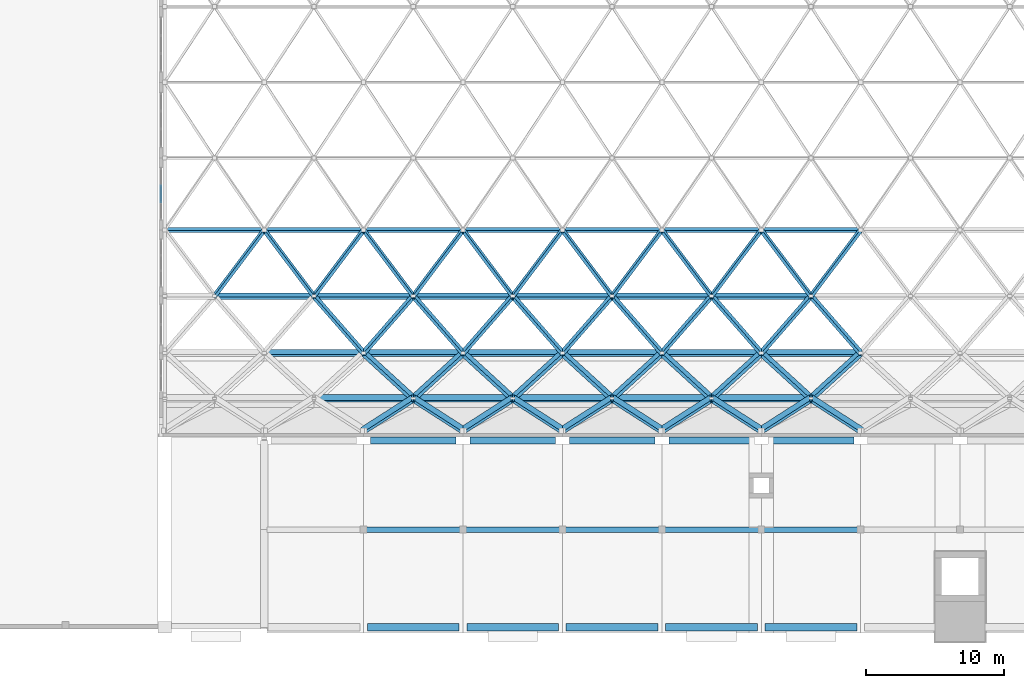
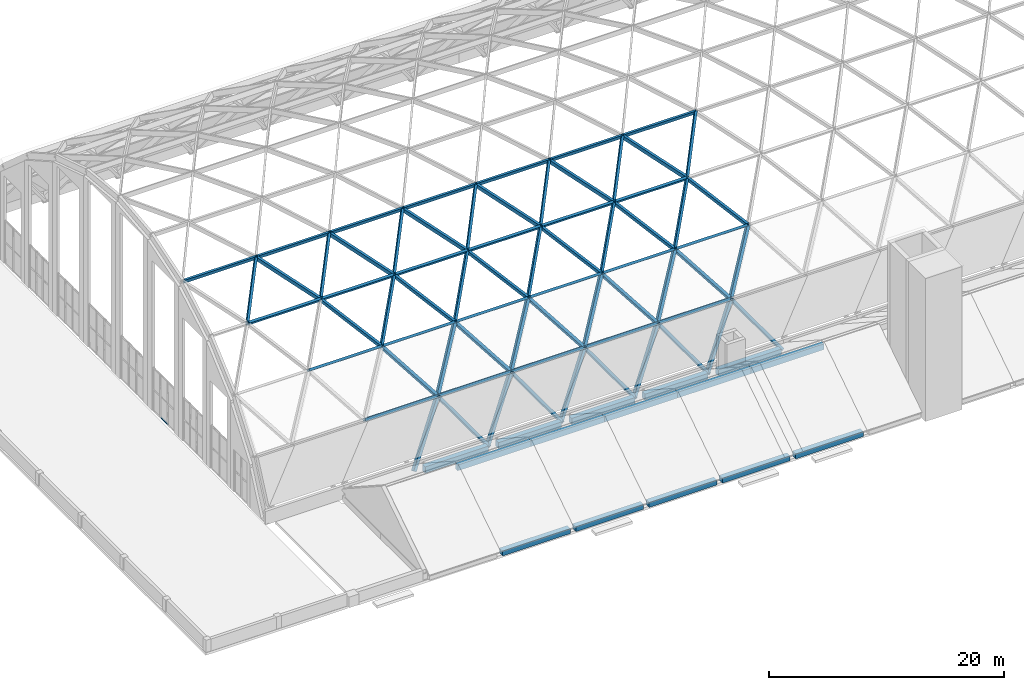
# One storey, part 4 of 52: 45 members, 39 beams, 1 element without a shape of its own.
"""IFC4 building model written with IfcOpenShell, lengths in metres."""

from ifc_helpers import new_model, si_unit, direction, frame, origin, origin_2d, place, context, subcontext, project, spatial, rectangle, extrude, material, material_profile, profile_set, type_object, element, aggregate, save


model = new_model("IFC4")

# Units and contexts
model_context = context("Model", 3, precision=1e-05, world=origin(), true_north=direction((0.0, 1.0)))
body_context = subcontext(model_context, "Body", "Model", "MODEL_VIEW")
ifc_project = project(units=[si_unit("LENGTHUNIT", "METRE"), si_unit("AREAUNIT", "SQUARE_METRE"), si_unit("VOLUMEUNIT", "CUBIC_METRE"), si_unit("PLANEANGLEUNIT", "RADIAN"), si_unit("MASSUNIT", "GRAM", prefix="KILO")], contexts=[model_context])

# Site, building, storey
site_placement = place(None, origin())
site = spatial("IfcSite", under=ifc_project, at=site_placement, CompositionType="ELEMENT")
building_placement = place(site_placement, origin())
building = spatial("IfcBuilding", under=site, at=building_placement, Name="Vermilion Court Aquatics Centre", CompositionType="ELEMENT")
storey_placement = place(building_placement, frame((0.0, 0.0, 12.0)))
storey = spatial("IfcBuildingStorey", under=building, at=storey_placement, Name="L02", CompositionType="ELEMENT", Elevation=12.0)

# Curtain wall, member
ifc_material_1 = material(Name="Aluminium 6063-T5", Category="aluminium")
curtain_wall_type = type_object("IfcCurtainWallType", Name="Envelope curtain wall west gable lower runs", PredefinedType="NOTDEFINED", material=ifc_material_1)
curtain_wall_placement = place(storey_placement, origin())
curtain_wall = element("IfcCurtainWall", 1, at=curtain_wall_placement, inside=storey, type_object=curtain_wall_type, Name="Gable glazing west 5.1", PredefinedType="NOTDEFINED")
ifc_material_2 = material(Name="Aluminium 6063-T5", Category="aluminium")
ifc_material_profile_1 = material_profile(ifc_material_2, rectangle(XDim=0.06005859375, YDim=0.1201171875, at=origin_2d()), Name="AL 60x120")
ifc_profile_set_1 = profile_set([ifc_material_profile_1], Name="Aluminium 6063-T5")
member_type_1 = type_object("IfcMemberType", Name="Envelope aluminium transom 60x120", PredefinedType="USERDEFINED", material=ifc_profile_set_1)
member_1_placement = place(storey_placement, frame((14.125, 30.92333984375, 0.030029296875), z_axis=(0.0, 1.0, 0.0), x_axis=(-1.0, 0.0, 0.0)))
member_1 = element("IfcMember", 2, at=member_1_placement, type_object=member_type_1, Name="ECW3 transom 2.1", ObjectType="TRANSOM", PredefinedType="USERDEFINED", context=body_context, shape_type="SweptSolid", body=[
    extrude(rectangle(XDim=0.06005859375, YDim=0.1201171875, at=origin_2d()), origin(), (0.0, 0.0, 1.0), 1.183349609375),
])
aggregate(curtain_wall, [member_1])

# Beams
ifc_material_3 = material(Name="Glulam 24F-V4 Douglas fir", Category="wood")
ifc_material_profile_2 = material_profile(ifc_material_3, rectangle(XDim=0.1708984375, YDim=0.5, at=origin_2d()), Name="GL24F 171x500")
ifc_profile_set_2 = profile_set([ifc_material_profile_2], Name="Glulam 24F-V4 Douglas fir")
beam_type_1 = type_object("IfcBeamType", Name="Roof glulam beam GL24F 171x500", PredefinedType="BEAM", material=ifc_profile_set_2)
beam_1_placement = place(storey_placement, frame((14.53662109375, 28.89990234375, 16.007080078125), z_axis=(1.0, 0.0, 0.0), x_axis=(0.0, 0.915794264632, 0.401647687492)))
element("IfcBeam", 3, at=beam_1_placement, inside=storey, type_object=beam_type_1, Name="Gridshell member GM-S04-00", PredefinedType="BEAM", context=body_context, shape_type="SweptSolid", body=[
    extrude(rectangle(XDim=0.1708984375, YDim=0.5, at=origin_2d()), origin(), (0.0, 0.0, 1.0), 7.0634765625),
])
for number, where, z_axis, x_axis, name in (
    (4, (21.60009765625, 28.89990234375, 16.007080078125), (1.0, 0.0, 0.0), (0.0, 0.915794264632, 0.401647687492), "Gridshell member GM-S04-01"),
    (5, (28.800048828125, 28.89990234375, 16.007080078125), (1.0, 0.0, 0.0), (0.0, 0.915794264632, 0.401647687492), "Gridshell member GM-S04-02"),
    (6, (36.0, 28.89990234375, 16.007080078125), (1.0, 0.0, 0.0), (0.0, 0.915794264632, 0.401647687492), "Gridshell member GM-S04-03"),
    (7, (43.199951171875, 28.89990234375, 16.007080078125), (1.0, 0.0, 0.0), (0.0, 0.915794264632, 0.401647687492), "Gridshell member GM-S04-04"),
):
    element("IfcBeam", number, at=place(storey_placement, frame(where, z_axis=z_axis, x_axis=x_axis)), inside=storey, type_object=beam_type_1, Name=name, PredefinedType="BEAM", context=body_context, shape_type="SweptSolid", body=[
        extrude(rectangle(XDim=0.1708984375, YDim=0.5, at=origin_2d()), origin(), (0.0, 0.0, 1.0), 7.199951171875),
    ])
beam_2_placement = place(storey_placement, frame((50.39990234375, 28.89990234375, 16.007080078125), z_axis=(1.0, 0.0, 0.0), x_axis=(0.0, 0.915794264632, 0.401647687492)))
element("IfcBeam", 8, at=beam_2_placement, inside=storey, type_object=beam_type_1, Name="Gridshell member GM-S04-05", PredefinedType="BEAM", context=body_context, shape_type="SweptSolid", body=[
    extrude(rectangle(XDim=0.1708984375, YDim=0.5, at=origin_2d()), origin(), (0.0, 0.0, 1.0), 7.2001953125),
])
beam_3_placement = place(storey_placement, frame((57.60009765625, 28.89990234375, 16.007080078125), z_axis=(1.0, 0.0, 0.0), x_axis=(0.0, 0.915794264632, 0.401647687492)))
element("IfcBeam", 9, at=beam_3_placement, inside=storey, type_object=beam_type_1, Name="Gridshell member GM-S04-06", PredefinedType="BEAM", context=body_context, shape_type="SweptSolid", body=[
    extrude(rectangle(XDim=0.1708984375, YDim=0.5, at=origin_2d()), origin(), (0.0, 0.0, 1.0), 7.199951171875),
])
ifc_material_4 = material(Name="Glulam 24F-V4 Douglas fir", Category="wood")
ifc_material_profile_3 = material_profile(ifc_material_4, rectangle(XDim=0.221923828125, YDim=0.5, at=origin_2d()), Name="GL24F 222x500")
ifc_profile_set_3 = profile_set([ifc_material_profile_3], Name="Glulam 24F-V4 Douglas fir")
beam_type_2 = type_object("IfcBeamType", Name="Roof glulam beam GL24F 222x500", PredefinedType="BEAM", material=ifc_profile_set_3)
for number, where, z_axis, x_axis, name in (
    (10, (21.60009765625, 20.0, 9.652099609375), (1.0, 0.0, 0.0), (0.0, 0.677259808472, 0.735743944473), "Gridshell member GM-S02-01"),
    (11, (28.800048828125, 20.0, 9.652099609375), (1.0, 0.0, 0.0), (0.0, 0.677259808472, 0.735743944473), "Gridshell member GM-S02-02"),
    (12, (36.0, 20.0, 9.652099609375), (1.0, 0.0, 0.0), (0.0, 0.677259808472, 0.735743944473), "Gridshell member GM-S02-03"),
    (13, (43.199951171875, 20.0, 9.652099609375), (1.0, 0.0, 0.0), (0.0, 0.677259808472, 0.735743944473), "Gridshell member GM-S02-04"),
):
    element("IfcBeam", number, at=place(storey_placement, frame(where, z_axis=z_axis, x_axis=x_axis)), inside=storey, type_object=beam_type_2, Name=name, PredefinedType="BEAM", context=body_context, shape_type="SweptSolid", body=[
        extrude(rectangle(XDim=0.221923828125, YDim=0.5, at=origin_2d()), origin(), (0.0, 0.0, 1.0), 7.199951171875),
    ])
beam_4_placement = place(storey_placement, frame((50.39990234375, 20.0, 9.652099609375), z_axis=(1.0, 0.0, 0.0), x_axis=(0.0, 0.677259808472, 0.735743944473)))
element("IfcBeam", 14, at=beam_4_placement, inside=storey, type_object=beam_type_2, Name="Gridshell member GM-S02-05", PredefinedType="BEAM", context=body_context, shape_type="SweptSolid", body=[
    extrude(rectangle(XDim=0.221923828125, YDim=0.5, at=origin_2d()), origin(), (0.0, 0.0, 1.0), 7.2001953125),
])
for number, where, z_axis, x_axis, name in (
    (15, (57.60009765625, 20.0, 9.652099609375), (1.0, 0.0, 0.0), (0.0, 0.677259808472, 0.735743944473), "Gridshell member GM-S02-06"),
    (16, (18.0, 24.1201171875, 13.291015625), (1.0, 0.0, 0.0), (0.0, 0.813847589394, 0.581078395087), "Gridshell member GM-S03-01"),
    (17, (25.199951171875, 24.1201171875, 13.291015625), (1.0, 0.0, 0.0), (0.0, 0.813847589394, 0.581078395087), "Gridshell member GM-S03-02"),
):
    element("IfcBeam", number, at=place(storey_placement, frame(where, z_axis=z_axis, x_axis=x_axis)), inside=storey, type_object=beam_type_2, Name=name, PredefinedType="BEAM", context=body_context, shape_type="SweptSolid", body=[
        extrude(rectangle(XDim=0.221923828125, YDim=0.5, at=origin_2d()), origin(), (0.0, 0.0, 1.0), 7.199951171875),
    ])
beam_5_placement = place(storey_placement, frame((32.39990234375, 24.1201171875, 13.291015625), z_axis=(1.0, 0.0, 0.0), x_axis=(0.0, 0.813847589394, 0.581078395087)))
element("IfcBeam", 18, at=beam_5_placement, inside=storey, type_object=beam_type_2, Name="Gridshell member GM-S03-03", PredefinedType="BEAM", context=body_context, shape_type="SweptSolid", body=[
    extrude(rectangle(XDim=0.221923828125, YDim=0.5, at=origin_2d()), origin(), (0.0, 0.0, 1.0), 7.2001953125),
])
for number, where, z_axis, x_axis, name in (
    (19, (39.60009765625, 24.1201171875, 13.291015625), (1.0, 0.0, 0.0), (0.0, 0.813847589394, 0.581078395087), "Gridshell member GM-S03-04"),
    (20, (46.800048828125, 24.1201171875, 13.291015625), (1.0, 0.0, 0.0), (0.0, 0.813847589394, 0.581078395087), "Gridshell member GM-S03-05"),
    (21, (54.0, 24.1201171875, 13.291015625), (1.0, 0.0, 0.0), (0.0, 0.813847589394, 0.581078395087), "Gridshell member GM-S03-06"),
):
    element("IfcBeam", number, at=place(storey_placement, frame(where, z_axis=z_axis, x_axis=x_axis)), inside=storey, type_object=beam_type_2, Name=name, PredefinedType="BEAM", context=body_context, shape_type="SweptSolid", body=[
        extrude(rectangle(XDim=0.221923828125, YDim=0.5, at=origin_2d()), origin(), (0.0, 0.0, 1.0), 7.199951171875),
    ])
ifc_material_5 = material(Name="Glulam 24F-V4 Douglas fir", Category="wood")
ifc_material_profile_4 = material_profile(ifc_material_5, rectangle(XDim=0.27294921875, YDim=0.5, at=origin_2d()), Name="GL24F 273x500")
ifc_profile_set_4 = profile_set([ifc_material_profile_4], Name="Glulam 24F-V4 Douglas fir")
beam_type_3 = type_object("IfcBeamType", Name="Roof glulam beam GL24F 273x500", PredefinedType="BEAM", material=ifc_profile_set_4)
beam_6_placement = place(storey_placement, frame((25.199951171875, 16.7099609375, 5.239013671875), z_axis=(1.0, 0.0, 0.0), x_axis=(0.0, 0.511594723072, 0.859226884661)))
element("IfcBeam", 22, at=beam_6_placement, inside=storey, type_object=beam_type_3, Name="Gridshell member GM-S01-02", PredefinedType="BEAM", context=body_context, shape_type="SweptSolid", body=[
    extrude(rectangle(XDim=0.27294921875, YDim=0.5, at=origin_2d()), origin(), (0.0, 0.0, 1.0), 7.199951171875),
])
beam_7_placement = place(storey_placement, frame((32.39990234375, 16.7099609375, 5.239013671875), z_axis=(1.0, 0.0, 0.0), x_axis=(0.0, 0.511594723072, 0.859226884661)))
element("IfcBeam", 23, at=beam_7_placement, inside=storey, type_object=beam_type_3, Name="Gridshell member GM-S01-03", PredefinedType="BEAM", context=body_context, shape_type="SweptSolid", body=[
    extrude(rectangle(XDim=0.27294921875, YDim=0.5, at=origin_2d()), origin(), (0.0, 0.0, 1.0), 7.2001953125),
])
for number, where, z_axis, x_axis, name in (
    (24, (39.60009765625, 16.7099609375, 5.239013671875), (1.0, 0.0, 0.0), (0.0, 0.511594723072, 0.859226884661), "Gridshell member GM-S01-04"),
    (25, (46.800048828125, 16.7099609375, 5.239013671875), (1.0, 0.0, 0.0), (0.0, 0.511594723072, 0.859226884661), "Gridshell member GM-S01-05"),
    (26, (54.0, 16.7099609375, 5.239013671875), (1.0, 0.0, 0.0), (0.0, 0.511594723072, 0.859226884661), "Gridshell member GM-S01-06"),
):
    element("IfcBeam", number, at=place(storey_placement, frame(where, z_axis=z_axis, x_axis=x_axis)), inside=storey, type_object=beam_type_3, Name=name, PredefinedType="BEAM", context=body_context, shape_type="SweptSolid", body=[
        extrude(rectangle(XDim=0.27294921875, YDim=0.5, at=origin_2d()), origin(), (0.0, 0.0, 1.0), 7.199951171875),
    ])

# Members
ifc_material_6 = material(Name="Glulam 24F-V4 Douglas fir", Category="wood")
ifc_material_profile_5 = material_profile(ifc_material_6, rectangle(XDim=0.221923828125, YDim=0.5, at=origin_2d()), Name="GL24F 222x500")
ifc_profile_set_5 = profile_set([ifc_material_profile_5], Name="Glulam 24F-V4 Douglas fir")
member_type_2 = type_object("IfcMemberType", Name="Roof glulam diagonal GL24F 222x500", PredefinedType="BRACE", material=ifc_profile_set_5)
member_2_placement = place(storey_placement, frame((28.800048828125, 20.0, 9.652099609375), z_axis=(-0.547878343921, 0.627017152585, 0.553785888793), x_axis=(-0.836558019341, -0.410664270742, -0.362664496488)))
element("IfcMember", 27, at=member_2_placement, inside=storey, type_object=member_type_2, Name="Gridshell member GM-D02-03", PredefinedType="BRACE", context=body_context, shape_type="SweptSolid", body=[
    extrude(rectangle(XDim=0.221923828125, YDim=0.5, at=origin_2d()), origin(), (0.0, 0.0, 1.0), 6.571044921875),
])
member_3_placement = place(storey_placement, frame((28.800048828125, 20.0, 9.652099609375), z_axis=(0.54785234141, 0.62702991615, 0.553797161662), x_axis=(-0.836575048608, 0.410632462921, 0.362661230961)))
element("IfcMember", 28, at=member_3_placement, inside=storey, type_object=member_type_2, Name="Gridshell member GM-D02-04", PredefinedType="BRACE", context=body_context, shape_type="SweptSolid", body=[
    extrude(rectangle(XDim=0.221923828125, YDim=0.5, at=origin_2d()), origin(), (0.0, 0.0, 1.0), 6.57080078125),
])
for number, where, z_axis, x_axis, name in (
    (29, (36.0, 20.0, 9.652099609375), (-0.547878343921, 0.627017152585, 0.553785888793), (-0.836558019341, -0.410664270742, -0.362664496488), "Gridshell member GM-D02-05"),
    (30, (36.0, 20.0, 9.652099609375), (0.547878343921, 0.627017152585, 0.553785888793), (-0.836558019341, 0.410664270742, 0.362664496488), "Gridshell member GM-D02-06"),
):
    element("IfcMember", number, at=place(storey_placement, frame(where, z_axis=z_axis, x_axis=x_axis)), inside=storey, type_object=member_type_2, Name=name, PredefinedType="BRACE", context=body_context, shape_type="SweptSolid", body=[
        extrude(rectangle(XDim=0.221923828125, YDim=0.5, at=origin_2d()), origin(), (0.0, 0.0, 1.0), 6.571044921875),
    ])
member_4_placement = place(storey_placement, frame((43.199951171875, 20.0, 9.652099609375), z_axis=(-0.54785234141, 0.62702991615, 0.553797161662), x_axis=(-0.836575048608, -0.410632462921, -0.362661230961)))
element("IfcMember", 31, at=member_4_placement, inside=storey, type_object=member_type_2, Name="Gridshell member GM-D02-07", PredefinedType="BRACE", context=body_context, shape_type="SweptSolid", body=[
    extrude(rectangle(XDim=0.221923828125, YDim=0.5, at=origin_2d()), origin(), (0.0, 0.0, 1.0), 6.57080078125),
])
member_5_placement = place(storey_placement, frame((43.199951171875, 20.0, 9.652099609375), z_axis=(0.547878343921, 0.627017152585, 0.553785888793), x_axis=(-0.836558019341, 0.410664270742, 0.362664496488)))
element("IfcMember", 32, at=member_5_placement, inside=storey, type_object=member_type_2, Name="Gridshell member GM-D02-08", PredefinedType="BRACE", context=body_context, shape_type="SweptSolid", body=[
    extrude(rectangle(XDim=0.221923828125, YDim=0.5, at=origin_2d()), origin(), (0.0, 0.0, 1.0), 6.571044921875),
])
member_6_placement = place(storey_placement, frame((50.39990234375, 20.0, 9.652099609375), z_axis=(-0.54785234141, 0.62702991615, 0.553797161662), x_axis=(-0.836575048608, -0.410632462921, -0.362661230961)))
element("IfcMember", 33, at=member_6_placement, inside=storey, type_object=member_type_2, Name="Gridshell member GM-D02-09", PredefinedType="BRACE", context=body_context, shape_type="SweptSolid", body=[
    extrude(rectangle(XDim=0.221923828125, YDim=0.5, at=origin_2d()), origin(), (0.0, 0.0, 1.0), 6.57080078125),
])
for number, where, z_axis, x_axis, name in (
    (34, (50.39990234375, 20.0, 9.652099609375), (0.547878343921, 0.627017152585, 0.553785888793), (-0.836558019341, 0.410664270742, 0.362664496488), "Gridshell member GM-D02-10"),
    (35, (57.60009765625, 20.0, 9.652099609375), (-0.547878343921, 0.627017152585, 0.553785888793), (-0.836558019341, -0.410664270742, -0.362664496488), "Gridshell member GM-D02-11"),
):
    element("IfcMember", number, at=place(storey_placement, frame(where, z_axis=z_axis, x_axis=x_axis)), inside=storey, type_object=member_type_2, Name=name, PredefinedType="BRACE", context=body_context, shape_type="SweptSolid", body=[
        extrude(rectangle(XDim=0.221923828125, YDim=0.5, at=origin_2d()), origin(), (0.0, 0.0, 1.0), 6.571044921875),
    ])
member_7_placement = place(storey_placement, frame((57.60009765625, 20.0, 9.652099609375), z_axis=(0.54785234141, 0.62702991615, 0.553797161662), x_axis=(-0.836575048608, 0.410632462921, 0.362661230961)))
element("IfcMember", 36, at=member_7_placement, inside=storey, type_object=member_type_2, Name="Gridshell member GM-D02-12", PredefinedType="BRACE", context=body_context, shape_type="SweptSolid", body=[
    extrude(rectangle(XDim=0.221923828125, YDim=0.5, at=origin_2d()), origin(), (0.0, 0.0, 1.0), 6.57080078125),
])
member_8_placement = place(storey_placement, frame((64.800048828125, 20.0, 9.652099609375), z_axis=(-0.547878343921, 0.627017152585, 0.553785888793), x_axis=(-0.836558019341, -0.410664270742, -0.362664496488)))
element("IfcMember", 37, at=member_8_placement, inside=storey, type_object=member_type_2, Name="Gridshell member GM-D02-13", PredefinedType="BRACE", context=body_context, shape_type="SweptSolid", body=[
    extrude(rectangle(XDim=0.221923828125, YDim=0.5, at=origin_2d()), origin(), (0.0, 0.0, 1.0), 6.571044921875),
])
member_9_placement = place(storey_placement, frame((18.0, 24.1201171875, 13.291015625), z_axis=(0.54783852514, 0.727355394357, 0.413312328237), x_axis=(-0.836584095586, 0.476331897609, 0.270619611877)))
element("IfcMember", 38, at=member_9_placement, inside=storey, type_object=member_type_2, Name="Gridshell member GM-D03-01", PredefinedType="BRACE", context=body_context, shape_type="SweptSolid", body=[
    extrude(rectangle(XDim=0.221923828125, YDim=0.5, at=origin_2d()), origin(), (0.0, 0.0, 1.0), 6.571533203125),
])
member_10_placement = place(storey_placement, frame((25.199951171875, 24.1201171875, 13.291015625), z_axis=(-0.547812522897, 0.727370198256, 0.413320740402), x_axis=(-0.836601123047, -0.476302635686, -0.270618477113)))
element("IfcMember", 39, at=member_10_placement, inside=storey, type_object=member_type_2, Name="Gridshell member GM-D03-02", PredefinedType="BRACE", context=body_context, shape_type="SweptSolid", body=[
    extrude(rectangle(XDim=0.221923828125, YDim=0.5, at=origin_2d()), origin(), (0.0, 0.0, 1.0), 6.5712890625),
])
member_11_placement = place(storey_placement, frame((25.199951171875, 24.1201171875, 13.291015625), z_axis=(0.54783852514, 0.727355394357, 0.413312328237), x_axis=(-0.836584095586, 0.476331897609, 0.270619611877)))
element("IfcMember", 40, at=member_11_placement, inside=storey, type_object=member_type_2, Name="Gridshell member GM-D03-03", PredefinedType="BRACE", context=body_context, shape_type="SweptSolid", body=[
    extrude(rectangle(XDim=0.221923828125, YDim=0.5, at=origin_2d()), origin(), (0.0, 0.0, 1.0), 6.571533203125),
])
member_12_placement = place(storey_placement, frame((32.39990234375, 24.1201171875, 13.291015625), z_axis=(-0.547812522897, 0.727370198256, 0.413320740402), x_axis=(-0.836601123047, -0.476302635686, -0.270618477113)))
element("IfcMember", 41, at=member_12_placement, inside=storey, type_object=member_type_2, Name="Gridshell member GM-D03-04", PredefinedType="BRACE", context=body_context, shape_type="SweptSolid", body=[
    extrude(rectangle(XDim=0.221923828125, YDim=0.5, at=origin_2d()), origin(), (0.0, 0.0, 1.0), 6.5712890625),
])
for number, where, z_axis, x_axis, name in (
    (42, (32.39990234375, 24.1201171875, 13.291015625), (0.54783852514, 0.727355394357, 0.413312328237), (-0.836584095586, 0.476331897609, 0.270619611877), "Gridshell member GM-D03-05"),
    (43, (39.60009765625, 24.1201171875, 13.291015625), (-0.54783852514, 0.727355394357, 0.413312328237), (-0.836584095586, -0.476331897609, -0.270619611877), "Gridshell member GM-D03-06"),
):
    element("IfcMember", number, at=place(storey_placement, frame(where, z_axis=z_axis, x_axis=x_axis)), inside=storey, type_object=member_type_2, Name=name, PredefinedType="BRACE", context=body_context, shape_type="SweptSolid", body=[
        extrude(rectangle(XDim=0.221923828125, YDim=0.5, at=origin_2d()), origin(), (0.0, 0.0, 1.0), 6.571533203125),
    ])
member_13_placement = place(storey_placement, frame((39.60009765625, 24.1201171875, 13.291015625), z_axis=(0.547812522897, 0.727370198256, 0.413320740402), x_axis=(-0.836601123047, 0.476302635686, 0.270618477113)))
element("IfcMember", 44, at=member_13_placement, inside=storey, type_object=member_type_2, Name="Gridshell member GM-D03-07", PredefinedType="BRACE", context=body_context, shape_type="SweptSolid", body=[
    extrude(rectangle(XDim=0.221923828125, YDim=0.5, at=origin_2d()), origin(), (0.0, 0.0, 1.0), 6.5712890625),
])
member_14_placement = place(storey_placement, frame((46.800048828125, 24.1201171875, 13.291015625), z_axis=(-0.54783852514, 0.727355394357, 0.413312328237), x_axis=(-0.836584095586, -0.476331897609, -0.270619611877)))
element("IfcMember", 45, at=member_14_placement, inside=storey, type_object=member_type_2, Name="Gridshell member GM-D03-08", PredefinedType="BRACE", context=body_context, shape_type="SweptSolid", body=[
    extrude(rectangle(XDim=0.221923828125, YDim=0.5, at=origin_2d()), origin(), (0.0, 0.0, 1.0), 6.571533203125),
])
member_15_placement = place(storey_placement, frame((46.800048828125, 24.1201171875, 13.291015625), z_axis=(0.547812522897, 0.727370198256, 0.413320740402), x_axis=(-0.836601123047, 0.476302635686, 0.270618477113)))
element("IfcMember", 46, at=member_15_placement, inside=storey, type_object=member_type_2, Name="Gridshell member GM-D03-09", PredefinedType="BRACE", context=body_context, shape_type="SweptSolid", body=[
    extrude(rectangle(XDim=0.221923828125, YDim=0.5, at=origin_2d()), origin(), (0.0, 0.0, 1.0), 6.5712890625),
])
for number, where, z_axis, x_axis, name in (
    (47, (54.0, 24.1201171875, 13.291015625), (-0.54783852514, 0.727355394357, 0.413312328237), (-0.836584095586, -0.476331897609, -0.270619611877), "Gridshell member GM-D03-10"),
    (48, (54.0, 24.1201171875, 13.291015625), (0.54783852514, 0.727355394357, 0.413312328237), (-0.836584095586, 0.476331897609, 0.270619611877), "Gridshell member GM-D03-11"),
):
    element("IfcMember", number, at=place(storey_placement, frame(where, z_axis=z_axis, x_axis=x_axis)), inside=storey, type_object=member_type_2, Name=name, PredefinedType="BRACE", context=body_context, shape_type="SweptSolid", body=[
        extrude(rectangle(XDim=0.221923828125, YDim=0.5, at=origin_2d()), origin(), (0.0, 0.0, 1.0), 6.571533203125),
    ])
member_16_placement = place(storey_placement, frame((61.199951171875, 24.1201171875, 13.291015625), z_axis=(-0.547812522897, 0.727370198256, 0.413320740402), x_axis=(-0.836601123047, -0.476302635686, -0.270618477113)))
element("IfcMember", 49, at=member_16_placement, inside=storey, type_object=member_type_2, Name="Gridshell member GM-D03-12", PredefinedType="BRACE", context=body_context, shape_type="SweptSolid", body=[
    extrude(rectangle(XDim=0.221923828125, YDim=0.5, at=origin_2d()), origin(), (0.0, 0.0, 1.0), 6.5712890625),
])
member_17_placement = place(storey_placement, frame((61.199951171875, 24.1201171875, 13.291015625), z_axis=(0.54783852514, 0.727355394357, 0.413312328237), x_axis=(-0.836584095586, 0.476331897609, 0.270619611877)))
element("IfcMember", 50, at=member_17_placement, inside=storey, type_object=member_type_2, Name="Gridshell member GM-D03-13", PredefinedType="BRACE", context=body_context, shape_type="SweptSolid", body=[
    extrude(rectangle(XDim=0.221923828125, YDim=0.5, at=origin_2d()), origin(), (0.0, 0.0, 1.0), 6.571533203125),
])
ifc_material_7 = material(Name="Glulam 24F-V4 Douglas fir", Category="wood")
ifc_material_profile_6 = material_profile(ifc_material_7, rectangle(XDim=0.27294921875, YDim=0.5, at=origin_2d()), Name="GL24F 273x500")
ifc_profile_set_6 = profile_set([ifc_material_profile_6], Name="Glulam 24F-V4 Douglas fir")
member_type_3 = type_object("IfcMemberType", Name="Roof glulam diagonal GL24F 273x500", PredefinedType="BRACE", material=ifc_profile_set_6)
member_18_placement = place(storey_placement, frame((28.715576171875, 14.345703125, 0.1328125), z_axis=(0.547784705503, 0.351517267781, 0.759188729414), x_axis=(-0.83661933782, 0.230161099811, 0.497085457159)))
element("IfcMember", 51, at=member_18_placement, inside=storey, type_object=member_type_3, Name="Gridshell member GM-D00-04", PredefinedType="BRACE", context=body_context, shape_type="SweptSolid", body=[
    extrude(rectangle(XDim=0.27294921875, YDim=0.5, at=origin_2d()), origin(), (0.0, 0.0, 1.0), 6.725830078125),
])
for number, where, z_axis, x_axis, name in (
    (52, (36.08447265625, 14.345703125, 0.1328125), (-0.547810111411, 0.35151027822, 0.759173633724), (-0.836602702247, -0.230192523341, -0.497098904436), "Gridshell member GM-D00-05"),
    (53, (35.91552734375, 14.345703125, 0.1328125), (0.547810111411, 0.35151027822, 0.759173633724), (-0.836602702247, 0.230192523341, 0.497098904436), "Gridshell member GM-D00-06"),
):
    element("IfcMember", number, at=place(storey_placement, frame(where, z_axis=z_axis, x_axis=x_axis)), inside=storey, type_object=member_type_3, Name=name, PredefinedType="BRACE", context=body_context, shape_type="SweptSolid", body=[
        extrude(rectangle(XDim=0.27294921875, YDim=0.5, at=origin_2d()), origin(), (0.0, 0.0, 1.0), 6.72607421875),
    ])
member_19_placement = place(storey_placement, frame((43.284423828125, 14.345703125, 0.1328125), z_axis=(-0.547784705503, 0.351517267781, 0.759188729414), x_axis=(-0.83661933782, -0.230161099811, -0.497085457159)))
element("IfcMember", 54, at=member_19_placement, inside=storey, type_object=member_type_3, Name="Gridshell member GM-D00-07", PredefinedType="BRACE", context=body_context, shape_type="SweptSolid", body=[
    extrude(rectangle(XDim=0.27294921875, YDim=0.5, at=origin_2d()), origin(), (0.0, 0.0, 1.0), 6.725830078125),
])
for number, where, z_axis, x_axis, name in (
    (55, (43.115478515625, 14.345703125, 0.1328125), (0.547810111411, 0.35151027822, 0.759173633724), (-0.836602702247, 0.230192523341, 0.497098904436), "Gridshell member GM-D00-08"),
    (56, (50.484619140625, 14.345703125, 0.1328125), (-0.547810111411, 0.35151027822, 0.759173633724), (-0.836602702247, -0.230192523341, -0.497098904436), "Gridshell member GM-D00-09"),
    (57, (50.3154296875, 14.345703125, 0.1328125), (0.547810111411, 0.35151027822, 0.759173633724), (-0.836602702247, 0.230192523341, 0.497098904436), "Gridshell member GM-D00-10"),
    (58, (57.6845703125, 14.345703125, 0.1328125), (-0.547810111411, 0.35151027822, 0.759173633724), (-0.836602702247, -0.230192523341, -0.497098904436), "Gridshell member GM-D00-11"),
    (59, (57.515380859375, 14.345703125, 0.1328125), (0.547810111411, 0.35151027822, 0.759173633724), (-0.836602702247, 0.230192523341, 0.497098904436), "Gridshell member GM-D00-12"),
    (60, (64.884521484375, 14.345703125, 0.1328125), (-0.547810111411, 0.35151027822, 0.759173633724), (-0.836602702247, -0.230192523341, -0.497098904436), "Gridshell member GM-D00-13"),
):
    element("IfcMember", number, at=place(storey_placement, frame(where, z_axis=z_axis, x_axis=x_axis)), inside=storey, type_object=member_type_3, Name=name, PredefinedType="BRACE", context=body_context, shape_type="SweptSolid", body=[
        extrude(rectangle(XDim=0.27294921875, YDim=0.5, at=origin_2d()), origin(), (0.0, 0.0, 1.0), 6.72607421875),
    ])
for number, where, z_axis, x_axis, name in (
    (61, (32.39990234375, 16.7099609375, 5.239013671875), (-0.547328986583, 0.500224172478, 0.670974483654), (-0.836917545043, -0.32708302, -0.438845896445), "Gridshell member GM-D01-04"),
    (62, (32.39990234375, 16.7099609375, 5.239013671875), (0.547354985532, 0.500214009563, 0.670960851652), (-0.836900542699, 0.327116726721, 0.438853197242), "Gridshell member GM-D01-05"),
    (63, (39.60009765625, 16.7099609375, 5.239013671875), (-0.547354985532, 0.500214009563, 0.670960851652), (-0.836900542699, -0.327116726721, -0.438853197242), "Gridshell member GM-D01-06"),
    (64, (39.60009765625, 16.7099609375, 5.239013671875), (0.547328986583, 0.500224172478, 0.670974483654), (-0.836917545043, 0.32708302, 0.438845896445), "Gridshell member GM-D01-07"),
    (65, (46.800048828125, 16.7099609375, 5.239013671875), (-0.547354985532, 0.500214009563, 0.670960851652), (-0.836900542699, -0.327116726721, -0.438853197242), "Gridshell member GM-D01-08"),
    (66, (46.800048828125, 16.7099609375, 5.239013671875), (0.547328986583, 0.500224172478, 0.670974483654), (-0.836917545043, 0.32708302, 0.438845896445), "Gridshell member GM-D01-09"),
    (67, (54.0, 16.7099609375, 5.239013671875), (-0.547354985532, 0.500214009563, 0.670960851652), (-0.836900542699, -0.327116726721, -0.438853197242), "Gridshell member GM-D01-10"),
    (68, (54.0, 16.7099609375, 5.239013671875), (0.547354985532, 0.500214009563, 0.670960851652), (-0.836900542699, 0.327116726721, 0.438853197242), "Gridshell member GM-D01-11"),
    (69, (61.199951171875, 16.7099609375, 5.239013671875), (-0.547328986583, 0.500224172478, 0.670974483654), (-0.836917545043, -0.32708302, -0.438845896445), "Gridshell member GM-D01-12"),
    (70, (61.199951171875, 16.7099609375, 5.239013671875), (0.547354985532, 0.500214009563, 0.670960851652), (-0.836900542699, 0.327116726721, 0.438853197242), "Gridshell member GM-D01-13"),
):
    element("IfcMember", number, at=place(storey_placement, frame(where, z_axis=z_axis, x_axis=x_axis)), inside=storey, type_object=member_type_3, Name=name, PredefinedType="BRACE", context=body_context, shape_type="SweptSolid", body=[
        extrude(rectangle(XDim=0.27294921875, YDim=0.5, at=origin_2d()), origin(), (0.0, 0.0, 1.0), 6.5771484375),
    ])

# Beams
ifc_material_8 = material(Name="Concrete 5000 psi", Category="concrete")
ifc_material_profile_7 = material_profile(ifc_material_8, rectangle(XDim=0.550048828125, YDim=0.5, at=origin_2d()), Name="RC 550x500")
ifc_profile_set_7 = profile_set([ifc_material_profile_7], Name="Concrete 5000 psi")
beam_type_4 = type_object("IfcBeamType", Name="South roof eave beam RC 550x500", PredefinedType="BEAM", material=ifc_profile_set_7)
for number, where, z_axis, x_axis, name in (
    (71, (29.074951171875, 0.125, 0.236083984375), (1.0, 0.0, 0.0), (0.0, 1.0, 0.0), "South roof eave beam"),
    (72, (36.27490234375, 0.125, 0.236083984375), (1.0, 0.0, 0.0), (0.0, 1.0, 0.0), "South roof eave beam"),
):
    element("IfcBeam", number, at=place(storey_placement, frame(where, z_axis=z_axis, x_axis=x_axis)), inside=storey, type_object=beam_type_4, Name=name, PredefinedType="BEAM", context=body_context, shape_type="SweptSolid", body=[
        extrude(rectangle(XDim=0.550048828125, YDim=0.5, at=origin_2d()), origin(), (0.0, 0.0, 1.0), 6.650146484375),
    ])
for number, where, z_axis, x_axis, name in (
    (73, (43.47509765625, 0.125, 0.236083984375), (1.0, 0.0, 0.0), (0.0, 1.0, 0.0), "South roof eave beam"),
    (74, (50.675048828125, 0.125, 0.236083984375), (1.0, 0.0, 0.0), (0.0, 1.0, 0.0), "South roof eave beam"),
    (75, (57.875, 0.125, 0.236083984375), (1.0, 0.0, 0.0), (0.0, 1.0, 0.0), "South roof eave beam"),
):
    element("IfcBeam", number, at=place(storey_placement, frame(where, z_axis=z_axis, x_axis=x_axis)), inside=storey, type_object=beam_type_4, Name=name, PredefinedType="BEAM", context=body_context, shape_type="SweptSolid", body=[
        extrude(rectangle(XDim=0.550048828125, YDim=0.5, at=origin_2d()), origin(), (0.0, 0.0, 1.0), 6.64990234375),
    ])
ifc_material_9 = material(Name="Concrete 5000 psi", Category="concrete")
ifc_material_profile_8 = material_profile(ifc_material_9, rectangle(XDim=0.39990234375, YDim=0.60009765625, at=origin_2d()), Name="RC 400x600")
ifc_profile_set_8 = profile_set([ifc_material_profile_8], Name="Concrete 5000 psi")
beam_type_5 = type_object("IfcBeamType", Name="South roof ridge beam RC 400x600", PredefinedType="BEAM", material=ifc_profile_set_8)
for number, where, z_axis, x_axis, name in (
    (76, (28.800048828125, 7.199951171875, 4.885986328125), (1.0, 0.0, 0.0), (0.0, 1.0, 0.0), "South roof ridge beam"),
    (77, (36.0, 7.199951171875, 4.885986328125), (1.0, 0.0, 0.0), (0.0, 1.0, 0.0), "South roof ridge beam"),
    (78, (43.199951171875, 7.199951171875, 4.885986328125), (1.0, 0.0, 0.0), (0.0, 1.0, 0.0), "South roof ridge beam"),
):
    element("IfcBeam", number, at=place(storey_placement, frame(where, z_axis=z_axis, x_axis=x_axis)), inside=storey, type_object=beam_type_5, Name=name, PredefinedType="BEAM", context=body_context, shape_type="SweptSolid", body=[
        extrude(rectangle(XDim=0.39990234375, YDim=0.60009765625, at=origin_2d()), origin(), (0.0, 0.0, 1.0), 7.199951171875),
    ])
beam_8_placement = place(storey_placement, frame((50.39990234375, 7.199951171875, 4.885986328125), z_axis=(1.0, 0.0, 0.0), x_axis=(0.0, 1.0, 0.0)))
element("IfcBeam", 79, at=beam_8_placement, inside=storey, type_object=beam_type_5, Name="South roof ridge beam", PredefinedType="BEAM", context=body_context, shape_type="SweptSolid", body=[
    extrude(rectangle(XDim=0.39990234375, YDim=0.60009765625, at=origin_2d()), origin(), (0.0, 0.0, 1.0), 7.2001953125),
])
beam_9_placement = place(storey_placement, frame((57.60009765625, 7.199951171875, 4.885986328125), z_axis=(1.0, 0.0, 0.0), x_axis=(0.0, 1.0, 0.0)))
element("IfcBeam", 80, at=beam_9_placement, inside=storey, type_object=beam_type_5, Name="South roof ridge beam", PredefinedType="BEAM", context=body_context, shape_type="SweptSolid", body=[
    extrude(rectangle(XDim=0.39990234375, YDim=0.60009765625, at=origin_2d()), origin(), (0.0, 0.0, 1.0), 7.199951171875),
])
ifc_material_10 = material(Name="Concrete 5000 psi", Category="concrete")
ifc_material_profile_9 = material_profile(ifc_material_10, rectangle(XDim=0.5, YDim=0.64990234375, at=origin_2d()), Name="RC 500x650")
ifc_profile_set_9 = profile_set([ifc_material_profile_9], Name="Concrete 5000 psi")
beam_type_6 = type_object("IfcBeamType", Name="South roof valley beam RC 500x650", PredefinedType="BEAM", material=ifc_profile_set_9)
for number, where, z_axis, x_axis, name in (
    (81, (29.300048828125, 13.64990234375, 0.607421875), (1.0, 0.0, 0.0), (0.0, 1.0, 0.0), "South roof valley beam"),
    (82, (36.5, 13.64990234375, 0.607421875), (1.0, 0.0, 0.0), (0.0, 1.0, 0.0), "South roof valley beam"),
    (83, (43.699951171875, 13.64990234375, 0.607421875), (1.0, 0.0, 0.0), (0.0, 1.0, 0.0), "South roof valley beam"),
):
    element("IfcBeam", number, at=place(storey_placement, frame(where, z_axis=z_axis, x_axis=x_axis)), inside=storey, type_object=beam_type_6, Name=name, PredefinedType="BEAM", context=body_context, shape_type="SweptSolid", body=[
        extrude(rectangle(XDim=0.5, YDim=0.64990234375, at=origin_2d()), origin(), (0.0, 0.0, 1.0), 6.199951171875),
    ])
beam_10_placement = place(storey_placement, frame((50.89990234375, 13.64990234375, 0.607421875), z_axis=(1.0, 0.0, 0.0), x_axis=(0.0, 1.0, 0.0)))
element("IfcBeam", 84, at=beam_10_placement, inside=storey, type_object=beam_type_6, Name="South roof valley beam", PredefinedType="BEAM", context=body_context, shape_type="SweptSolid", body=[
    extrude(rectangle(XDim=0.5, YDim=0.64990234375, at=origin_2d()), origin(), (0.0, 0.0, 1.0), 6.2001953125),
])
beam_11_placement = place(storey_placement, frame((58.10009765625, 13.64990234375, 0.607421875), z_axis=(1.0, 0.0, 0.0), x_axis=(0.0, 1.0, 0.0)))
element("IfcBeam", 85, at=beam_11_placement, inside=storey, type_object=beam_type_6, Name="South roof valley beam", PredefinedType="BEAM", context=body_context, shape_type="SweptSolid", body=[
    extrude(rectangle(XDim=0.5, YDim=0.64990234375, at=origin_2d()), origin(), (0.0, 0.0, 1.0), 6.199951171875),
])

save(model, "model.ifc")
